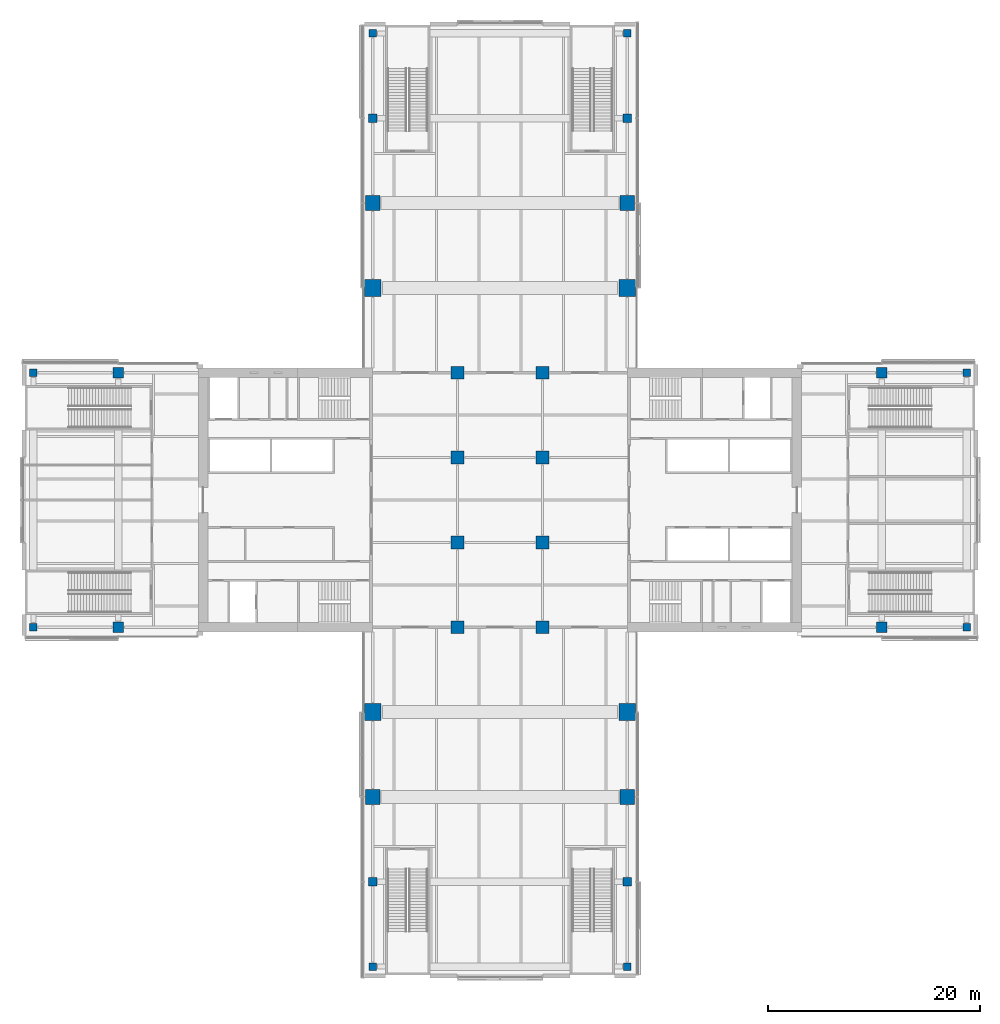
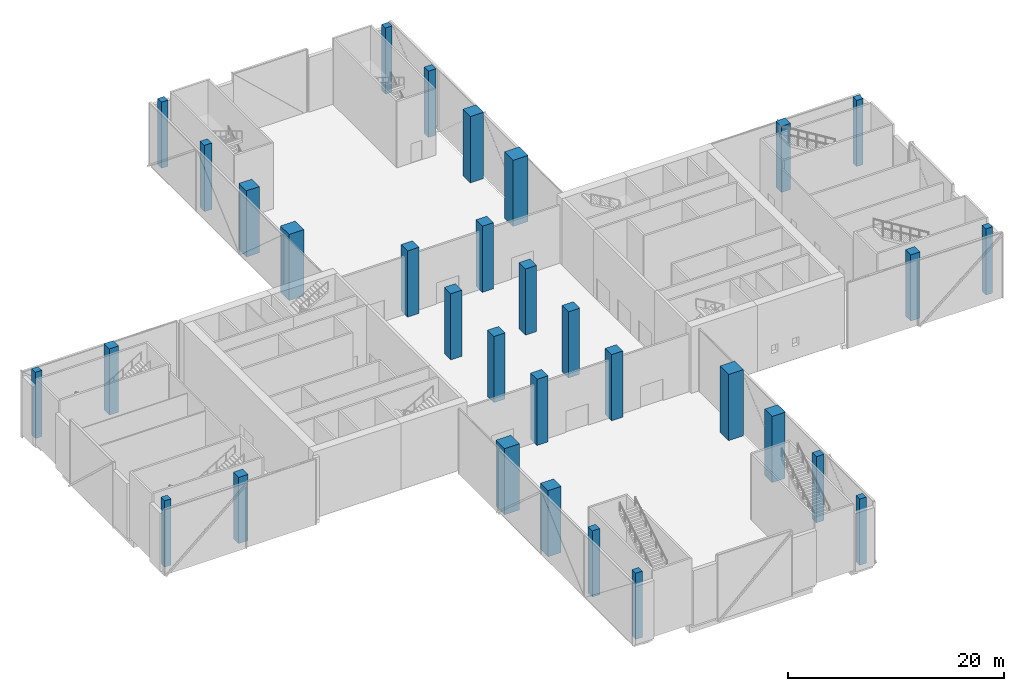
# One storey, part 1 of 25: 32 columns.
"""IFC4 building model written with IfcOpenShell, lengths in metres."""

from ifc_helpers import new_model, si_unit, direction, frame, origin, origin_2d, place, context, subcontext, project, spatial, rectangle, extrude, material, material_profile, profile_set, type_object, element, save


model = new_model("IFC4")

# Units and contexts
model_context = context("Model", 3, precision=1e-05, world=origin(), true_north=direction((0.0, 1.0)))
body_context = subcontext(model_context, "Body", "Model", "MODEL_VIEW")
ifc_project = project(units=[si_unit("LENGTHUNIT", "METRE"), si_unit("AREAUNIT", "SQUARE_METRE"), si_unit("VOLUMEUNIT", "CUBIC_METRE"), si_unit("PLANEANGLEUNIT", "RADIAN"), si_unit("MASSUNIT", "GRAM", prefix="KILO")], contexts=[model_context])

# Site, building, storey
site_placement = place(None, origin())
site = spatial("IfcSite", under=ifc_project, at=site_placement, CompositionType="ELEMENT")
building_placement = place(site_placement, origin())
building = spatial("IfcBuilding", under=site, at=building_placement, Name="Crosswind Convention Tower", CompositionType="ELEMENT")
storey_placement = place(building_placement, frame((0.0, 0.0, 10.0)))
storey = spatial("IfcBuildingStorey", under=building, at=storey_placement, Name="L01", CompositionType="ELEMENT", Elevation=10.0)

# Columns
ifc_material_1 = material(Name="Concrete C70/85", Category="concrete")
ifc_material_profile_1 = material_profile(ifc_material_1, rectangle(XDim=1.0, YDim=1.0, at=origin_2d()), Name="RC 1000X1000")
ifc_profile_set_1 = profile_set([ifc_material_profile_1], Name="Concrete C70/85")
column_type_1 = type_object("IfcColumnType", Name="Column RC 1000X1000", PredefinedType="COLUMN", material=ifc_profile_set_1)
for number, where, z_axis, x_axis, name in (
    (1, (89.0, 88.0, 0.0), (0.0, 0.0, 1.0), (1.0, 0.0, 0.0), "C12 L01 2/E"),
    (2, (89.0, 112.0, 0.0), (0.0, 0.0, 1.0), (1.0, 0.0, 0.0), "C12 L01 2/H"),
    (3, (161.0, 88.0, 0.0), (0.0, 0.0, 1.0), (1.0, 0.0, 0.0), "C12 L01 11/E"),
    (4, (161.0, 112.0, 0.0), (0.0, 0.0, 1.0), (1.0, 0.0, 0.0), "C12 L01 11/H"),
):
    element("IfcColumn", number, at=place(storey_placement, frame(where, z_axis=z_axis, x_axis=x_axis)), inside=storey, type_object=column_type_1, Name=name, PredefinedType="COLUMN", context=body_context, shape_type="SweptSolid", body=[
        extrude(rectangle(XDim=1.0, YDim=1.0, at=origin_2d()), origin(), (0.0, 0.0, 1.0), 7.5),
    ])
ifc_material_profile_2 = material_profile(ifc_material_1, rectangle(XDim=1.199951171875, YDim=1.199951171875, at=origin_2d()), Name="RC 1200X1200")
ifc_profile_set_2 = profile_set([ifc_material_profile_2], Name="Concrete C70/85")
column_type_2 = type_object("IfcColumnType", Name="Column RC 1200X1200", PredefinedType="COLUMN", material=ifc_profile_set_2)
for number, where, z_axis, x_axis, name in (
    (5, (121.0, 88.0, 0.0), (0.0, 0.0, 1.0), (1.0, 0.0, 0.0), "C11 L01 6/E"),
    (6, (121.0, 96.0, 0.0), (0.0, 0.0, 1.0), (1.0, 0.0, 0.0), "C11 L01 6/F"),
    (7, (121.0, 104.0, 0.0), (0.0, 0.0, 1.0), (1.0, 0.0, 0.0), "C11 L01 6/G"),
    (8, (121.0, 112.0, 0.0), (0.0, 0.0, 1.0), (1.0, 0.0, 0.0), "C11 L01 6/H"),
    (9, (129.0, 88.0, 0.0), (0.0, 0.0, 1.0), (1.0, 0.0, 0.0), "C11 L01 7/E"),
    (10, (129.0, 96.0, 0.0), (0.0, 0.0, 1.0), (1.0, 0.0, 0.0), "C11 L01 7/F"),
    (11, (129.0, 104.0, 0.0), (0.0, 0.0, 1.0), (1.0, 0.0, 0.0), "C11 L01 7/G"),
    (12, (129.0, 112.0, 0.0), (0.0, 0.0, 1.0), (1.0, 0.0, 0.0), "C11 L01 7/H"),
):
    element("IfcColumn", number, at=place(storey_placement, frame(where, z_axis=z_axis, x_axis=x_axis)), inside=storey, type_object=column_type_2, Name=name, PredefinedType="COLUMN", context=body_context, shape_type="SweptSolid", body=[
        extrude(rectangle(XDim=1.199951171875, YDim=1.199951171875, at=origin_2d()), origin(), (0.0, 0.0, 1.0), 7.5),
    ])
ifc_material_2 = material(Name="Concrete C80/95", Category="concrete")
ifc_material_profile_3 = material_profile(ifc_material_2, rectangle(XDim=1.39990234375, YDim=1.39990234375, at=origin_2d()), Name="RC 1400X1400")
ifc_profile_set_3 = profile_set([ifc_material_profile_3], Name="Concrete C80/95")
column_type_3 = type_object("IfcColumnType", Name="Column RC 1400X1400", PredefinedType="COLUMN", material=ifc_profile_set_3)
for number, where, z_axis, x_axis, name in (
    (13, (113.0, 72.0, 0.0), (0.0, 0.0, 1.0), (1.0, 0.0, 0.0), "C10 L01 5/C"),
    (14, (113.0, 128.0, 0.0), (0.0, 0.0, 1.0), (1.0, 0.0, 0.0), "C10 L01 5/J"),
    (15, (137.0, 72.0, 0.0), (0.0, 0.0, 1.0), (1.0, 0.0, 0.0), "C10 L01 8/C"),
    (16, (137.0, 128.0, 0.0), (0.0, 0.0, 1.0), (1.0, 0.0, 0.0), "C10 L01 8/J"),
):
    element("IfcColumn", number, at=place(storey_placement, frame(where, z_axis=z_axis, x_axis=x_axis)), inside=storey, type_object=column_type_3, Name=name, PredefinedType="COLUMN", context=body_context, shape_type="SweptSolid", body=[
        extrude(rectangle(XDim=1.39990234375, YDim=1.39990234375, at=origin_2d()), origin(), (0.0, 0.0, 1.0), 7.5),
    ])
ifc_material_profile_4 = material_profile(ifc_material_2, rectangle(XDim=1.60009765625, YDim=1.60009765625, at=origin_2d()), Name="RC 1600X1600")
ifc_profile_set_4 = profile_set([ifc_material_profile_4], Name="Concrete C80/95")
column_type_4 = type_object("IfcColumnType", Name="Column RC 1600X1600", PredefinedType="COLUMN", material=ifc_profile_set_4)
for number, where, z_axis, x_axis, name in (
    (17, (113.0, 80.0, 0.0), (0.0, 0.0, 1.0), (1.0, 0.0, 0.0), "C9 L01 5/D"),
    (18, (113.0, 120.0, 0.0), (0.0, 0.0, 1.0), (1.0, 0.0, 0.0), "C9 L01 5/I"),
    (19, (137.0, 80.0, 0.0), (0.0, 0.0, 1.0), (1.0, 0.0, 0.0), "C9 L01 8/D"),
    (20, (137.0, 120.0, 0.0), (0.0, 0.0, 1.0), (1.0, 0.0, 0.0), "C9 L01 8/I"),
):
    element("IfcColumn", number, at=place(storey_placement, frame(where, z_axis=z_axis, x_axis=x_axis)), inside=storey, type_object=column_type_4, Name=name, PredefinedType="COLUMN", context=body_context, shape_type="SweptSolid", body=[
        extrude(rectangle(XDim=1.60009765625, YDim=1.60009765625, at=origin_2d()), origin(), (0.0, 0.0, 1.0), 7.5),
    ])
ifc_material_3 = material(Name="Concrete C60/75", Category="concrete")
ifc_material_profile_5 = material_profile(ifc_material_3, rectangle(XDim=0.699951171875, YDim=0.699951171875, at=origin_2d()), Name="RC 700X700")
ifc_profile_set_5 = profile_set([ifc_material_profile_5], Name="Concrete C60/75")
column_type_5 = type_object("IfcColumnType", Name="Column RC 700X700", PredefinedType="COLUMN", material=ifc_profile_set_5)
for number, where, z_axis, x_axis, name in (
    (21, (81.0, 88.0, 0.0), (0.0, 0.0, 1.0), (1.0, 0.0, 0.0), "C15 L01 1/E"),
    (22, (81.0, 112.0, 0.0), (0.0, 0.0, 1.0), (1.0, 0.0, 0.0), "C15 L01 1/H"),
    (23, (113.0, 56.0, 0.0), (0.0, 0.0, 1.0), (1.0, 0.0, 0.0), "C15 L01 5/A"),
    (24, (113.0, 144.0, 0.0), (0.0, 0.0, 1.0), (1.0, 0.0, 0.0), "C15 L01 5/L"),
    (25, (137.0, 56.0, 0.0), (0.0, 0.0, 1.0), (1.0, 0.0, 0.0), "C15 L01 8/A"),
    (26, (137.0, 144.0, 0.0), (0.0, 0.0, 1.0), (1.0, 0.0, 0.0), "C15 L01 8/L"),
    (27, (169.0, 88.0, 0.0), (0.0, 0.0, 1.0), (1.0, 0.0, 0.0), "C15 L01 12/E"),
    (28, (169.0, 112.0, 0.0), (0.0, 0.0, 1.0), (1.0, 0.0, 0.0), "C15 L01 12/H"),
):
    element("IfcColumn", number, at=place(storey_placement, frame(where, z_axis=z_axis, x_axis=x_axis)), inside=storey, type_object=column_type_5, Name=name, PredefinedType="COLUMN", context=body_context, shape_type="SweptSolid", body=[
        extrude(rectangle(XDim=0.699951171875, YDim=0.699951171875, at=origin_2d()), origin(), (0.0, 0.0, 1.0), 7.5),
    ])
ifc_material_profile_6 = material_profile(ifc_material_3, rectangle(XDim=0.800048828125, YDim=0.800048828125, at=origin_2d()), Name="RC 800X800")
ifc_profile_set_6 = profile_set([ifc_material_profile_6], Name="Concrete C60/75")
column_type_6 = type_object("IfcColumnType", Name="Column RC 800X800", PredefinedType="COLUMN", material=ifc_profile_set_6)
for number, where, z_axis, x_axis, name in (
    (29, (113.0, 64.0, 0.0), (0.0, 0.0, 1.0), (1.0, 0.0, 0.0), "C14 L01 5/B"),
    (30, (113.0, 136.0, 0.0), (0.0, 0.0, 1.0), (1.0, 0.0, 0.0), "C14 L01 5/K"),
    (31, (137.0, 64.0, 0.0), (0.0, 0.0, 1.0), (1.0, 0.0, 0.0), "C14 L01 8/B"),
    (32, (137.0, 136.0, 0.0), (0.0, 0.0, 1.0), (1.0, 0.0, 0.0), "C14 L01 8/K"),
):
    element("IfcColumn", number, at=place(storey_placement, frame(where, z_axis=z_axis, x_axis=x_axis)), inside=storey, type_object=column_type_6, Name=name, PredefinedType="COLUMN", context=body_context, shape_type="SweptSolid", body=[
        extrude(rectangle(XDim=0.800048828125, YDim=0.800048828125, at=origin_2d()), origin(), (0.0, 0.0, 1.0), 7.5),
    ])

save(model, "model.ifc")
